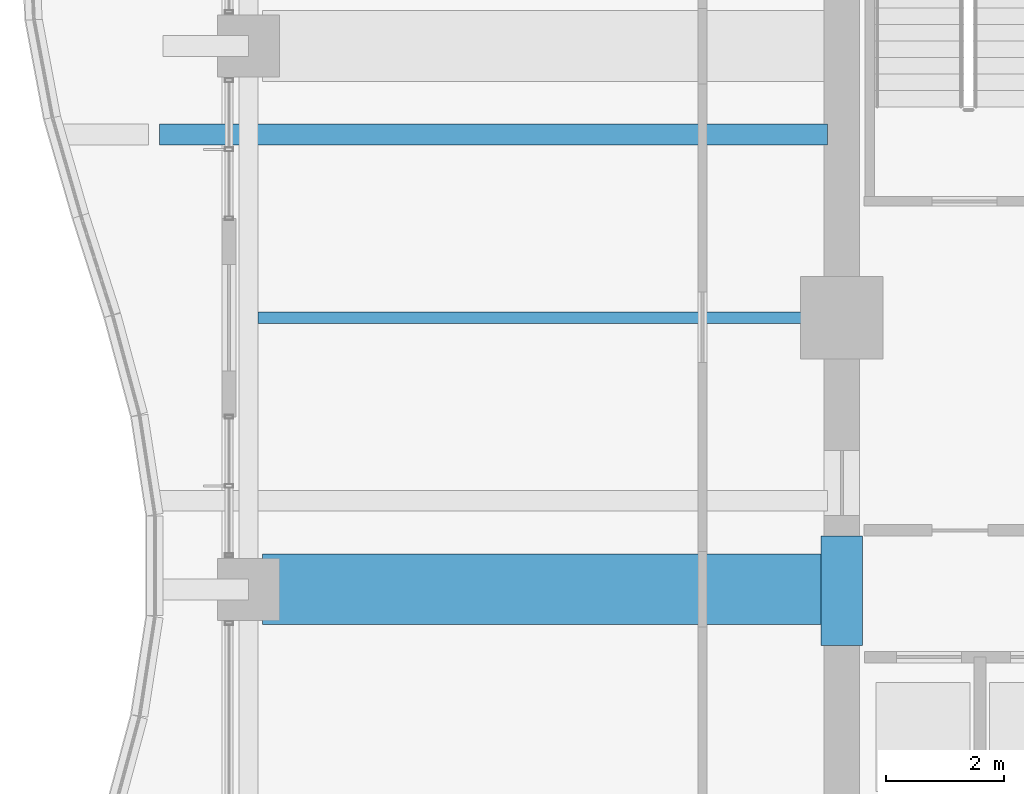
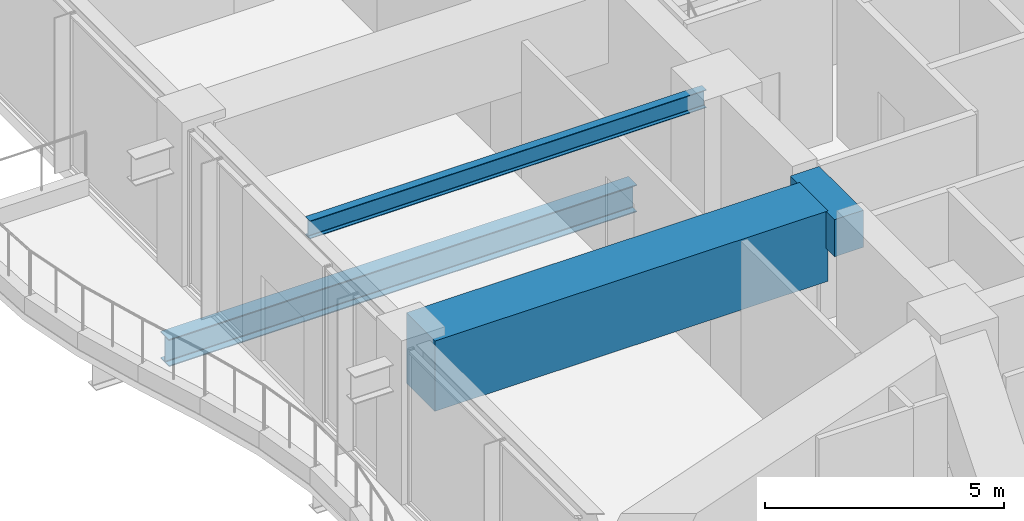
# One storey, part 10 of 40: 4 beams.
"""IFC4 building model written with IfcOpenShell, lengths in metres."""

from ifc_helpers import new_model, si_unit, direction, frame, origin, origin_2d, place, context, subcontext, project, spatial, rectangle, i_section, extrude, material, material_profile, profile_set, type_object, element, save


model = new_model("IFC4")

# Units and contexts
model_context = context("Model", 3, precision=1e-05, world=origin(), true_north=direction((0.0, 1.0)))
body_context = subcontext(model_context, "Body", "Model", "MODEL_VIEW")
ifc_project = project(units=[si_unit("LENGTHUNIT", "METRE"), si_unit("AREAUNIT", "SQUARE_METRE"), si_unit("VOLUMEUNIT", "CUBIC_METRE"), si_unit("PLANEANGLEUNIT", "RADIAN"), si_unit("MASSUNIT", "GRAM", prefix="KILO")], contexts=[model_context])

# Site, building, storey
site_placement = place(None, origin())
site = spatial("IfcSite", under=ifc_project, at=site_placement, CompositionType="ELEMENT")
building_placement = place(site_placement, origin())
building = spatial("IfcBuilding", under=site, at=building_placement, Name="Kolvaren Belvedere", CompositionType="ELEMENT")
storey_placement = place(building_placement, frame((0.0, 0.0, 68.0)))
storey = spatial("IfcBuildingStorey", under=building, at=storey_placement, Name="L19", CompositionType="ELEMENT", Elevation=68.0)

# Beams
ifc_material_1 = material(Name="Structural steel ASTM A992 Grade 50", Category="steel")
ifc_material_profile_1 = material_profile(ifc_material_1, i_section(OverallWidth=0.35498046875, OverallDepth=0.696044921875, WebThickness=0.015380859375, FlangeThickness=0.02490234375, FilletRadius=0.02197265625, at=origin_2d()), Name="W27X146")
ifc_profile_set_1 = profile_set([ifc_material_profile_1], Name="Structural steel ASTM A992 Grade 50")
beam_type_1 = type_object("IfcBeamType", Name="BM-GIRD-W27X146", PredefinedType="BEAM", material=ifc_profile_set_1)
beam_1_placement = place(storey_placement, frame((-10.139892578125, 3.10009765625, -0.64794921875), z_axis=(-1.0, 0.0, 0.0), x_axis=(0.0, -1.0, 0.0)))
element("IfcBeam", 1, at=beam_1_placement, inside=storey, type_object=beam_type_1, Name="L19 Balcony Interior Back-Span Girder BAL-W-2", PredefinedType="BEAM", context=body_context, shape_type="SweptSolid", body=[
    extrude(i_section(OverallWidth=0.35498046875, OverallDepth=0.696044921875, WebThickness=0.015380859375, FlangeThickness=0.02490234375, FilletRadius=0.02197265625, at=origin_2d()), origin(), (0.0, 0.0, 1.0), 11.315185546875),
])
ifc_material_2 = material(Name="Structural steel ASTM A992 Grade 50", Category="steel")
ifc_material_profile_2 = material_profile(ifc_material_2, i_section(OverallWidth=0.19091796875, OverallDepth=0.4599609375, WebThickness=0.010009765625, FlangeThickness=0.01611328125, FilletRadius=0.014892578125, at=origin_2d()), Name="W18X55")
ifc_profile_set_2 = profile_set([ifc_material_profile_2], Name="Structural steel ASTM A992 Grade 50")
beam_type_2 = type_object("IfcBeamType", Name="BM-JOIST-W18X55", PredefinedType="BEAM", material=ifc_profile_set_2)
beam_2_placement = place(storey_placement, frame((-10.199951171875, 0.0, 3.75), z_axis=(-1.0, 0.0, 0.0), x_axis=(0.0, -1.0, 0.0)))
element("IfcBeam", 2, at=beam_2_placement, inside=storey, type_object=beam_type_2, Name="L19 West Centre Floor Beam", PredefinedType="BEAM", context=body_context, shape_type="SweptSolid", body=[
    extrude(i_section(OverallWidth=0.19091796875, OverallDepth=0.4599609375, WebThickness=0.010009765625, FlangeThickness=0.01611328125, FilletRadius=0.014892578125, at=origin_2d()), origin(), (0.0, 0.0, 1.0), 9.587646484375),
])
ifc_material_3 = material(Name="Concrete C60/75", Category="concrete")
ifc_material_profile_3 = material_profile(ifc_material_3, rectangle(XDim=0.699951171875, YDim=0.949951171875, at=origin_2d()), Name="RC 700X950")
ifc_profile_set_3 = profile_set([ifc_material_profile_3], Name="Concrete C60/75")
beam_type_3 = type_object("IfcBeamType", Name="BM-LINT-950", PredefinedType="LINTEL", material=ifc_profile_set_3)
beam_3_placement = place(storey_placement, frame((-9.89990234375, -5.550048828125, 3.5048828125), z_axis=(0.0, 1.0, 0.0), x_axis=(-1.0, 0.0, 0.0)))
element("IfcBeam", 3, at=beam_3_placement, inside=storey, type_object=beam_type_3, Name="L19 West Core Coupling Lintel", PredefinedType="LINTEL", context=body_context, shape_type="SweptSolid", body=[
    extrude(rectangle(XDim=0.699951171875, YDim=0.949951171875, at=origin_2d()), origin(), (0.0, 0.0, 1.0), 1.85009765625),
])
ifc_material_4 = material(Name="Concrete C50/60", Category="concrete")
ifc_material_profile_4 = material_profile(ifc_material_4, rectangle(XDim=1.199951171875, YDim=1.800048828125, at=origin_2d()), Name="RC 1200X1800")
ifc_profile_set_4 = profile_set([ifc_material_profile_4], Name="Concrete C50/60")
beam_type_4 = type_object("IfcBeamType", Name="BM-TG-1800", PredefinedType="BEAM", material=ifc_profile_set_4)
beam_4_placement = place(storey_placement, frame((-10.199951171875, -4.60009765625, 3.080078125), z_axis=(-1.0, 0.0, 0.0), x_axis=(0.0, -1.0, 0.0)))
element("IfcBeam", 4, at=beam_4_placement, inside=storey, type_object=beam_type_4, Name="L19 West Radial Girder M", PredefinedType="BEAM", context=body_context, shape_type="SweptSolid", body=[
    extrude(rectangle(XDim=1.199951171875, YDim=1.800048828125, at=origin_2d()), origin(), (0.0, 0.0, 1.0), 9.513916015625),
])

save(model, "model.ifc")
